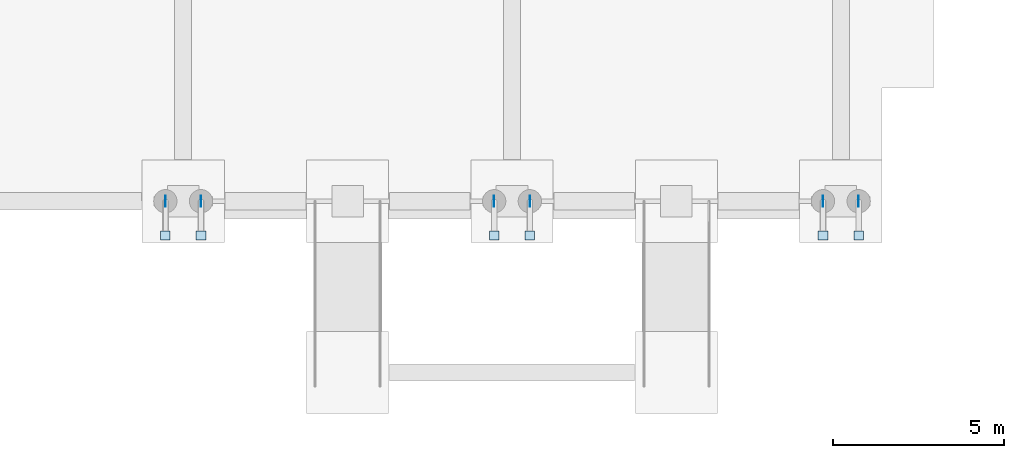
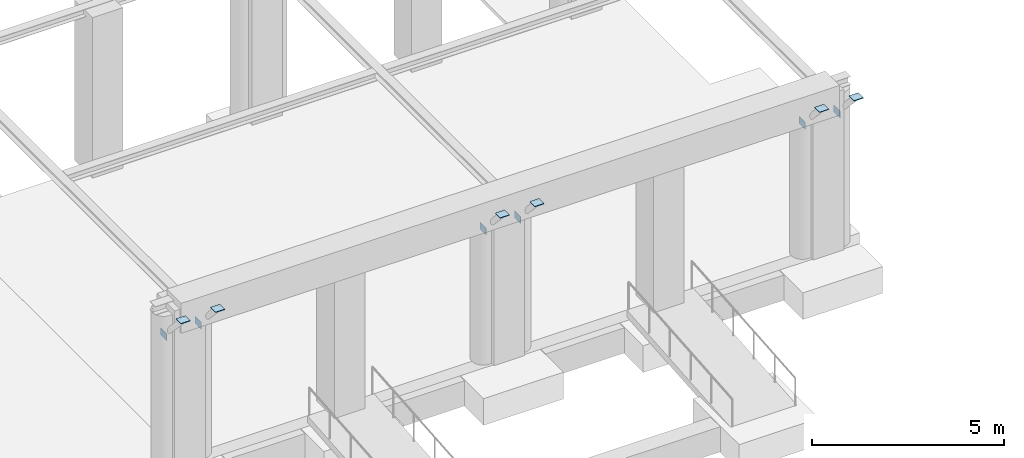
# One storey, part 29 of 51: 12 plates.
"""IFC4 building model written with IfcOpenShell, lengths in metres."""

from ifc_helpers import new_model, si_unit, direction, frame, origin, origin_2d, place, context, subcontext, project, spatial, rectangle, extrude, material, layer, layer_set, type_object, element, save


model = new_model("IFC4")

# Units and contexts
model_context = context("Model", 3, precision=1e-05, world=origin(), true_north=direction((0.0, 1.0)))
body_context = subcontext(model_context, "Body", "Model", "MODEL_VIEW")
ifc_project = project(units=[si_unit("LENGTHUNIT", "METRE"), si_unit("AREAUNIT", "SQUARE_METRE"), si_unit("VOLUMEUNIT", "CUBIC_METRE"), si_unit("PLANEANGLEUNIT", "RADIAN"), si_unit("MASSUNIT", "GRAM", prefix="KILO")], contexts=[model_context])

# Site, building, storey
site_placement = place(None, origin())
site = spatial("IfcSite", under=ifc_project, at=site_placement, CompositionType="ELEMENT")
building_placement = place(site_placement, origin())
building = spatial("IfcBuilding", under=site, at=building_placement, Name="Bempovik Park Faculty of Sciences", CompositionType="ELEMENT")
storey_placement = place(building_placement, origin())
storey = spatial("IfcBuildingStorey", under=building, at=storey_placement, Name="L00", CompositionType="ELEMENT", Elevation=0.0)

# Plates
ifc_material = material(Name="Steel S355", Category="steel")
ifc_layer_1 = layer(ifc_material, 0.02001953125)
ifc_layer_set_1 = layer_set([ifc_layer_1], Name="Steel S355")
plate_type_1 = type_object("IfcPlateType", Name="PL-15 Steel Plate 280x260x20", PredefinedType="USERDEFINED", material=ifc_layer_set_1)
for number, where, z_axis, x_axis, name in (
    (1, (117.080078125, 6.195068359375, 5.157958984375), (0.0, 0.0, 1.0), (1.0, 0.0, 0.0), "Colonnade Strut Sealed End Plate 117.6-W"),
    (2, (118.1201171875, 6.195068359375, 5.157958984375), (0.0, 0.0, 1.0), (1.0, 0.0, 0.0), "Colonnade Strut Sealed End Plate 117.6-E"),
    (3, (126.679931640625, 6.195068359375, 5.157958984375), (0.0, 0.0, 1.0), (1.0, 0.0, 0.0), "Colonnade Strut Sealed End Plate 127.2-W"),
    (4, (127.719970703125, 6.195068359375, 5.157958984375), (0.0, 0.0, 1.0), (1.0, 0.0, 0.0), "Colonnade Strut Sealed End Plate 127.2-E"),
    (5, (136.280029296875, 6.195068359375, 5.157958984375), (0.0, 0.0, 1.0), (1.0, 0.0, 0.0), "Colonnade Strut Sealed End Plate 136.8-W"),
    (6, (137.320068359375, 6.195068359375, 5.157958984375), (0.0, 0.0, 1.0), (1.0, 0.0, 0.0), "Colonnade Strut Sealed End Plate 136.8-E"),
):
    element("IfcPlate", number, at=place(storey_placement, frame(where, z_axis=z_axis, x_axis=x_axis)), inside=storey, type_object=plate_type_1, Name=name, ObjectType="STIFFENER PLATE", PredefinedType="USERDEFINED", context=body_context, shape_type="SweptSolid", body=[
        extrude(rectangle(XDim=0.280029296875, YDim=0.260009765625, at=origin_2d()), origin(), (0.0, 0.0, 1.0), 0.02001953125),
    ])
ifc_layer_2 = layer(ifc_material, 0.011962890625)
ifc_layer_set_2 = layer_set([ifc_layer_2], Name="Steel S355")
plate_type_2 = type_object("IfcPlateType", Name="PL-26 Steel Plate 320x220x12", PredefinedType="SHEET", material=ifc_layer_set_2)
for number, where, z_axis, x_axis, name in (
    (7, (117.080078125, 7.199951171875, 3.990234375), (0.0, 0.0, 1.0), (1.0, 0.0, 0.0), "Brace/Strut End Gusset Plate STR-COL-1176-W-E1"),
    (8, (118.1201171875, 7.199951171875, 3.990234375), (0.0, 0.0, 1.0), (1.0, 0.0, 0.0), "Brace/Strut End Gusset Plate STR-COL-1176-E-E1"),
    (9, (126.679931640625, 7.199951171875, 3.990234375), (0.0, 0.0, 1.0), (1.0, 0.0, 0.0), "Brace/Strut End Gusset Plate STR-COL-1272-W-E1"),
    (10, (127.719970703125, 7.199951171875, 3.990234375), (0.0, 0.0, 1.0), (1.0, 0.0, 0.0), "Brace/Strut End Gusset Plate STR-COL-1272-E-E1"),
    (11, (136.280029296875, 7.199951171875, 3.990234375), (0.0, 0.0, 1.0), (1.0, 0.0, 0.0), "Brace/Strut End Gusset Plate STR-COL-1368-W-E1"),
    (12, (137.320068359375, 7.199951171875, 3.990234375), (0.0, 0.0, 1.0), (1.0, 0.0, 0.0), "Brace/Strut End Gusset Plate STR-COL-1368-E-E1"),
):
    element("IfcPlate", number, at=place(storey_placement, frame(where, z_axis=z_axis, x_axis=x_axis)), inside=storey, type_object=plate_type_2, Name=name, PredefinedType="SHEET", context=body_context, shape_type="SweptSolid", body=[
        extrude(rectangle(XDim=0.011962890625, YDim=0.320068359375, at=origin_2d()), origin(), (0.0, 0.0, 1.0), 0.219970703125),
    ])

save(model, "model.ifc")
